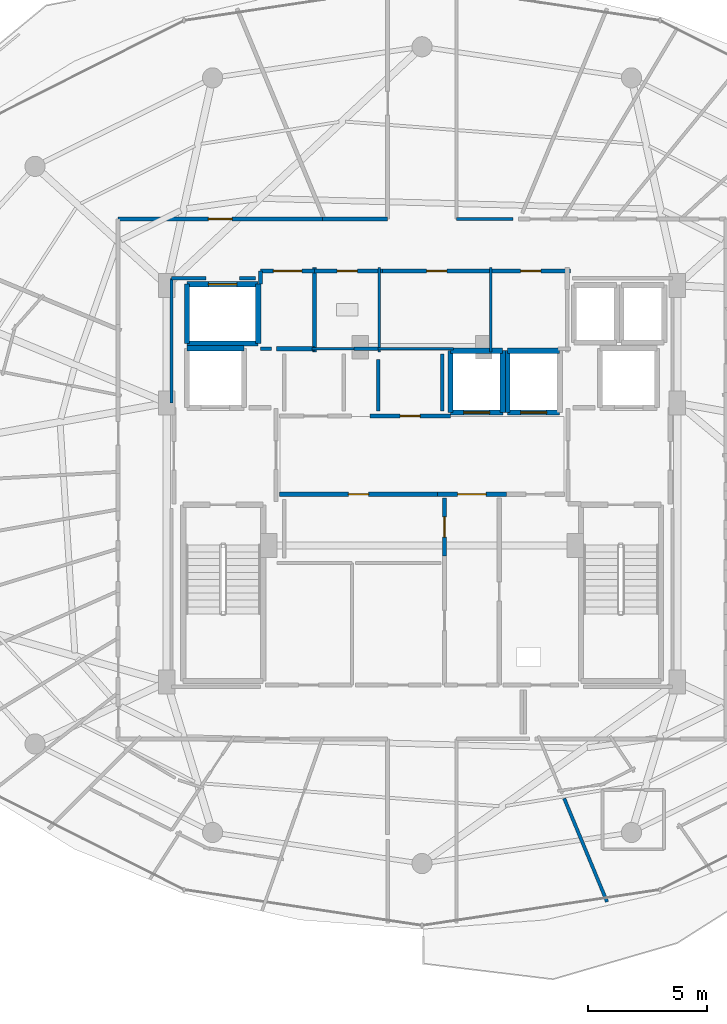
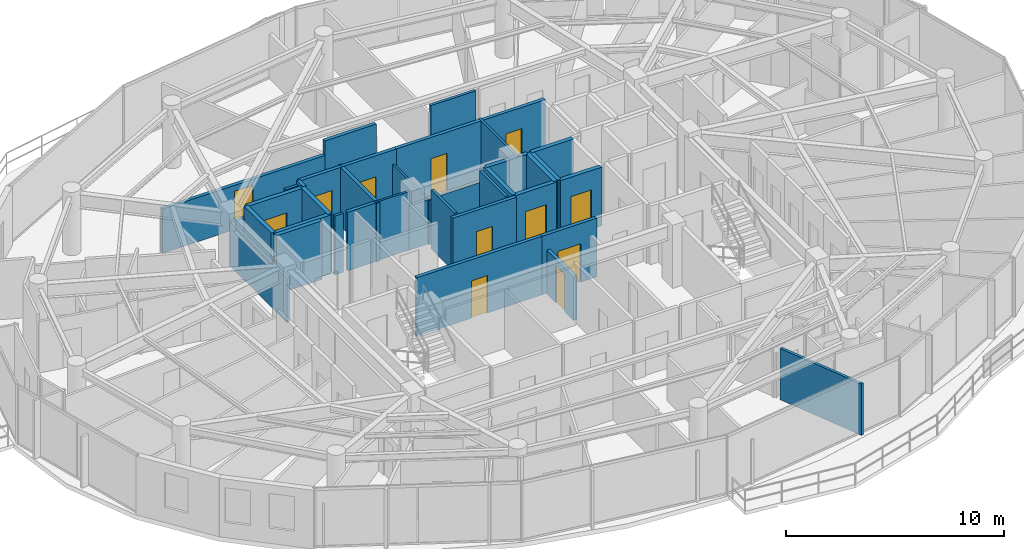
# One storey, part 23 of 30: 38 walls, 12 doors, 12 openings.
"""IFC4 building model written with IfcOpenShell, lengths in metres."""

from ifc_helpers import new_model, si_unit, direction, frame, frame_2d, origin, place, context, subcontext, project, spatial, rectangle, extrude, material, layer, layer_set, type_object, element, fill, save


model = new_model("IFC4")

# Units and contexts
model_context = context("Model", 3, precision=1e-05, world=origin(), true_north=direction((0.0, 1.0)))
body_context = subcontext(model_context, "Body", "Model", "MODEL_VIEW")
ifc_project = project(units=[si_unit("LENGTHUNIT", "METRE"), si_unit("AREAUNIT", "SQUARE_METRE"), si_unit("VOLUMEUNIT", "CUBIC_METRE"), si_unit("PLANEANGLEUNIT", "RADIAN"), si_unit("MASSUNIT", "GRAM", prefix="KILO")], contexts=[model_context])

# Site, building, storey
site_placement = place(None, origin())
site = spatial("IfcSite", under=ifc_project, at=site_placement, CompositionType="ELEMENT")
building_placement = place(site_placement, origin())
building = spatial("IfcBuilding", under=site, at=building_placement, Name="Vorneva Point Tower", CompositionType="ELEMENT")
storey_placement = place(building_placement, frame((0.0, 0.0, 262.64990234375)))
storey = spatial("IfcBuildingStorey", under=building, at=storey_placement, Name="L71", CompositionType="ELEMENT", Elevation=262.64990234375)

# Walls
ifc_material_1 = material(Name="Concrete B60 (C50/60)", Category="concrete")
ifc_layer_1 = layer(ifc_material_1, 0.35009765625)
ifc_layer_set_1 = layer_set([ifc_layer_1], Name="Concrete B60 (C50/60)")
wall_type_1 = type_object("IfcWallType", Name="WL-CORE-350", PredefinedType="SHEAR", material=ifc_layer_set_1)
wall_1_placement = place(storey_placement, frame((30.5, 30.5, 0.0), z_axis=(0.0, 0.0, 1.0), x_axis=(-1.0, 0.0, 0.0)))
element("IfcWall", 1, at=wall_1_placement, inside=storey, type_object=wall_type_1, Name="L71 Lift FFL1 Shaft Wall +Y", PredefinedType="SHEAR", context=body_context, shape_type="SweptSolid", body=[
    extrude(rectangle(XDim=2.39990234375, YDim=0.219970703125, at=frame_2d((1.199951171875, 0.0))), origin(), (0.0, 0.0, 1.0), 3.2900390625),
])
ifc_material_2 = material(Name="Fire-rated acoustic gypsum stud partition", Category="gypsum")
ifc_layer_2 = layer(ifc_material_2, 0.110107421875)
ifc_layer_set_2 = layer_set([ifc_layer_2], Name="Fire-rated acoustic gypsum stud partition")
wall_type_2 = type_object("IfcWallType", Name="WL-PART-110", PredefinedType="PARTITIONING", material=ifc_layer_set_2)
wall_2_placement = place(storey_placement, frame((36.199951171875, 30.340087890625, 0.0), z_axis=(0.0, 0.0, 1.0), x_axis=(0.0, 1.0, 0.0)))
element("IfcWall", 2, at=wall_2_placement, inside=storey, type_object=wall_type_2, Name="L71 Interior Partition 020", PredefinedType="PARTITIONING", context=body_context, shape_type="SweptSolid", body=[
    extrude(rectangle(XDim=3.559814453125, YDim=0.110107421875, at=frame_2d((1.77978515625, 0.0))), origin(), (0.0, 0.0, 1.0), 2.482177734375),
])
wall_3_placement = place(storey_placement, frame((33.360107421875, 30.47998046875, 0.0), z_axis=(0.0, 0.0, 1.0), x_axis=(1.0, 0.0, 0.0)))
element("IfcWall", 3, at=wall_3_placement, inside=storey, type_object=wall_type_2, Name="L71 Interior Partition 021", PredefinedType="PARTITIONING", context=body_context, shape_type="SweptSolid", body=[
    extrude(rectangle(XDim=1.809814453125, YDim=0.110107421875, at=frame_2d((0.90478515625, 0.0))), origin(), (0.0, 0.0, 1.0), 3.2900390625),
])
wall_4_placement = place(storey_placement, frame((40.89990234375, 30.340087890625, 0.0), z_axis=(0.0, 0.0, 1.0), x_axis=(0.0, 1.0, 0.0)))
element("IfcWall", 4, at=wall_4_placement, inside=storey, type_object=wall_type_2, Name="L71 Interior Partition 023", PredefinedType="PARTITIONING", context=body_context, shape_type="SweptSolid", body=[
    extrude(rectangle(XDim=3.559814453125, YDim=0.110107421875, at=frame_2d((1.77978515625, 0.0))), origin(), (0.0, 0.0, 1.0), 3.2900390625),
])
wall_5_placement = place(storey_placement, frame((36.110107421875, 30.47998046875, 0.0), z_axis=(0.0, 0.0, 1.0), x_axis=(1.0, 0.0, 0.0)))
element("IfcWall", 5, at=wall_5_placement, inside=storey, type_object=wall_type_2, Name="L71 Interior Partition 024", PredefinedType="PARTITIONING", context=body_context, shape_type="SweptSolid", body=[
    extrude(rectangle(XDim=3.2099609375, YDim=0.110107421875, at=frame_2d((1.60498046875, 0.0))), origin(), (0.0, 0.0, 1.0), 2.482177734375),
])
ifc_layer_3 = layer(ifc_material_2, 0.139892578125)
ifc_layer_set_3 = layer_set([ifc_layer_3], Name="Fire-rated acoustic gypsum stud partition")
wall_type_3 = type_object("IfcWallType", Name="WL-PART-140", PredefinedType="PARTITIONING", material=ifc_layer_set_3)
wall_6_placement = place(storey_placement, frame((31.199951171875, 30.47998046875, 0.0), z_axis=(0.0, 0.0, 1.0), x_axis=(1.0, 0.0, 0.0)))
element("IfcWall", 6, at=wall_6_placement, inside=storey, type_object=wall_type_3, Name="L71 Interior Closure Partition 143", PredefinedType="PARTITIONING", context=body_context, shape_type="SweptSolid", body=[
    extrude(rectangle(XDim=0.449951171875, YDim=0.139892578125, at=frame_2d((0.22509765625, 0.0))), origin(), (0.0, 0.0, 1.0), 3.2900390625),
])
wall_7_placement = place(storey_placement, frame((35.139892578125, 30.47998046875, 0.0), z_axis=(0.0, 0.0, 1.0), x_axis=(1.0, 0.0, 0.0)))
element("IfcWall", 7, at=wall_7_placement, inside=storey, type_object=wall_type_3, Name="L71 Interior Closure Partition 144", PredefinedType="PARTITIONING", context=body_context, shape_type="SweptSolid", body=[
    extrude(rectangle(XDim=1.0, YDim=0.139892578125, at=frame_2d((0.5, 0.0))), origin(), (0.0, 0.0, 1.0), 2.482177734375),
])
wall_8_placement = place(storey_placement, frame((36.14990234375, 30.030029296875, 0.0), z_axis=(0.0, 0.0, 1.0), x_axis=(0.0, -1.0, 0.0)))
element("IfcWall", 8, at=wall_8_placement, inside=storey, type_object=wall_type_3, Name="L71 Interior Closure Partition 149", PredefinedType="PARTITIONING", context=body_context, shape_type="SweptSolid", body=[
    extrude(rectangle(XDim=2.159912109375, YDim=0.139892578125, at=frame_2d((1.080078125, 0.0))), origin(), (0.0, 0.0, 1.0), 3.2900390625),
])
wall_9_placement = place(storey_placement, frame((38.85009765625, 27.8701171875, 0.0), z_axis=(0.0, 0.0, 1.0), x_axis=(0.0, 1.0, 0.0)))
element("IfcWall", 9, at=wall_9_placement, inside=storey, type_object=wall_type_3, Name="L71 Interior Closure Partition 150", PredefinedType="PARTITIONING", context=body_context, shape_type="SweptSolid", body=[
    extrude(rectangle(XDim=2.389892578125, YDim=0.139892578125, at=frame_2d((1.19482421875, 0.0))), origin(), (0.0, 0.0, 1.0), 3.2900390625),
])
wall_10_placement = place(storey_placement, frame((41.841064453125, 35.949951171875, 0.0), z_axis=(0.0, 0.0, 1.0), x_axis=(-1.0, 0.0, 0.0)))
element("IfcWall", 10, at=wall_10_placement, inside=storey, type_object=wall_type_3, Name="L71 Interior Closure Partition 155", PredefinedType="PARTITIONING", context=body_context, shape_type="SweptSolid", body=[
    extrude(rectangle(XDim=2.39111328125, YDim=0.139892578125, at=frame_2d((1.195556640625, 0.0))), origin(), (0.0, 0.0, 1.0), 3.2900390625),
])
wall_11_placement = place(storey_placement, frame((30.97998046875, 33.449951171875, 0.0), z_axis=(0.0, 0.0, 1.0), x_axis=(-1.0, 0.0, 0.0)))
element("IfcWall", 11, at=wall_11_placement, inside=storey, type_object=wall_type_3, Name="L71 Interior Closure Partition 162", PredefinedType="PARTITIONING", context=body_context, shape_type="SweptSolid", body=[
    extrude(rectangle(XDim=0.674072265625, YDim=0.139892578125, at=frame_2d((0.3369140625, 0.0))), origin(), (0.0, 0.0, 1.0), 3.2900390625),
])
wall_12_placement = place(storey_placement, frame((28.89404296875, 33.449951171875, 0.0), z_axis=(0.0, 0.0, 1.0), x_axis=(-1.0, 0.0, 0.0)))
element("IfcWall", 12, at=wall_12_placement, inside=storey, type_object=wall_type_3, Name="L71 Interior Closure Partition 163", PredefinedType="PARTITIONING", context=body_context, shape_type="SweptSolid", body=[
    extrude(rectangle(XDim=1.444091796875, YDim=0.139892578125, at=frame_2d((0.72216796875, 0.0))), origin(), (0.0, 0.0, 1.0), 2.482177734375),
])
wall_13_placement = place(storey_placement, frame((27.449951171875, 33.449951171875, 0.0), z_axis=(0.0, 0.0, 1.0), x_axis=(0.0, -1.0, 0.0)))
element("IfcWall", 13, at=wall_13_placement, inside=storey, type_object=wall_type_3, Name="L71 Interior Closure Partition 164", PredefinedType="PARTITIONING", context=body_context, shape_type="SweptSolid", body=[
    extrude(rectangle(XDim=5.25390625, YDim=0.139892578125, at=frame_2d((2.626953125, 0.0))), origin(), (0.0, 0.0, 1.0), 2.482177734375),
])
wall_14_placement = place(storey_placement, frame((43.988037109375, 11.54296875, 0.0), z_axis=(0.0, 0.0, 1.0), x_axis=(0.382798409849, -0.923831898895, 0.0)))
element("IfcWall", 14, at=wall_14_placement, inside=storey, type_object=wall_type_3, Name="L71 Interior Closure Partition 168", PredefinedType="PARTITIONING", context=body_context, shape_type="SweptSolid", body=[
    extrude(rectangle(XDim=4.715087890625, YDim=0.139892578125, at=frame_2d((2.357421875, 0.0))), origin(), (0.0, 0.0, 1.0), 2.8740234375),
])
ifc_material_3 = material(Name="Autoclaved aerated concrete blockwork", Category="masonry")
ifc_layer_4 = layer(ifc_material_3, 0.179931640625)
ifc_layer_set_4 = layer_set([ifc_layer_4], Name="Autoclaved aerated concrete blockwork")
wall_type_4 = type_object("IfcWallType", Name="WL-PART-180", PredefinedType="PARTITIONING", material=ifc_layer_set_4)
wall_15_placement = place(storey_placement, frame((33.469970703125, 30.340087890625, 0.0), z_axis=(0.0, 0.0, 1.0), x_axis=(0.0, 1.0, 0.0)))
element("IfcWall", 15, at=wall_15_placement, inside=storey, type_object=wall_type_4, Name="L71 Interior Partition 006", PredefinedType="PARTITIONING", context=body_context, shape_type="SweptSolid", body=[
    extrude(rectangle(XDim=3.559814453125, YDim=0.179931640625, at=frame_2d((1.77978515625, 0.0))), origin(), (0.0, 0.0, 1.0), 3.2900390625),
])
wall_16_placement = place(storey_placement, frame((31.8701171875, 30.47998046875, 0.0), z_axis=(0.0, 0.0, 1.0), x_axis=(1.0, 0.0, 0.0)))
element("IfcWall", 16, at=wall_16_placement, inside=storey, type_object=wall_type_4, Name="L71 Interior Partition 007", PredefinedType="PARTITIONING", context=body_context, shape_type="SweptSolid", body=[
    extrude(rectangle(XDim=1.599853515625, YDim=0.179931640625, at=frame_2d((0.7998046875, 0.0))), origin(), (0.0, 0.0, 1.0), 3.2900390625),
])

# Wall, opening, door
wall_17_placement = place(storey_placement, frame((33.469970703125, 33.760009765625, 0.0), z_axis=(0.0, 0.0, 1.0), x_axis=(-1.0, 0.0, 0.0)))
wall_17 = element("IfcWall", 17, at=wall_17_placement, inside=storey, type_object=wall_type_4, Name="L71 Interior Partition 008", PredefinedType="PARTITIONING", context=body_context, shape_type="SweptSolid", body=[
    extrude(rectangle(XDim=2.27001953125, YDim=0.179931640625, at=frame_2d((1.135009765625, 0.0))), origin(), (0.0, 0.0, 1.0), 3.2900390625),
])
opening_1_placement = place(wall_17_placement, frame((0.534912109375, 0.0, 0.0)))
opening_1 = element("IfcOpeningElement", 18, at=opening_1_placement, cuts=wall_17, Name="Opening FD-02", PredefinedType="OPENING", context=body_context, shape_type="SweptSolid", body=[
    extrude(rectangle(XDim=1.199951171875, YDim=2.14990234375, at=frame_2d((0.60009765625, 1.074951171875))), frame((0.0, 0.10498046875, 0.0), z_axis=(0.0, -1.0, 0.0), x_axis=(1.0, 0.0, 0.0)), (0.0, 0.0, 1.0), 0.209716796875),
])
ifc_material_4 = material(Name="Fire-rated powder-coated steel", Category="steel")
door_type_1 = type_object("IfcDoorType", Name="DR-FFL-1200", OperationType="NOTDEFINED", PredefinedType="DOOR", material=ifc_material_4)
door_1_placement = place(opening_1_placement, origin())
door_1 = element("IfcDoor", 19, at=door_1_placement, inside=storey, type_object=door_type_1, Name="L71 Door Service Lift Lobby / L71 Circulation Corridor", OperationType="SINGLE_SWING_LEFT", OverallHeight=2.14990234375, OverallWidth=1.199951171875, PredefinedType="DOOR", context=body_context, shape_type="SweptSolid", body=[
    extrude(rectangle(XDim=1.199951171875, YDim=2.14990234375, at=frame_2d((0.60009765625, 1.074951171875))), frame((0.0, 0.02490234375, 0.0), z_axis=(0.0, -1.0, 0.0), x_axis=(1.0, 0.0, 0.0)), (0.0, 0.0, 1.0), 0.050048828125),
])
fill(opening_1, door_1)

# Wall
wall_18_placement = place(storey_placement, frame((31.199951171875, 33.760009765625, 0.0), z_axis=(0.0, 0.0, 1.0), x_axis=(0.0, -1.0, 0.0)))
element("IfcWall", 20, at=wall_18_placement, inside=storey, type_object=wall_type_4, Name="L71 Interior Partition 009", PredefinedType="PARTITIONING", context=body_context, shape_type="SweptSolid", body=[
    extrude(rectangle(XDim=0.56005859375, YDim=0.179931640625, at=frame_2d((0.280029296875, 0.0))), origin(), (0.0, 0.0, 1.0), 3.2900390625),
])

# Wall, opening, door
wall_19_placement = place(storey_placement, frame((38.64501953125, 24.35009765625, 0.0), z_axis=(0.0, 0.0, 1.0), x_axis=(1.0, 0.0, 0.0)))
wall_19 = element("IfcWall", 21, at=wall_19_placement, inside=storey, type_object=wall_type_4, Name="L71 Interior Partition 010", PredefinedType="PARTITIONING", context=body_context, shape_type="SweptSolid", body=[
    extrude(rectangle(XDim=2.909912109375, YDim=0.179931640625, at=frame_2d((1.455078125, 0.0))), origin(), (0.0, 0.0, 1.0), 3.2900390625),
])
opening_2_placement = place(wall_19_placement, frame((0.85498046875, 0.0, 0.0)))
opening_2 = element("IfcOpeningElement", 22, at=opening_2_placement, cuts=wall_19, Name="Opening FD-02", PredefinedType="OPENING", context=body_context, shape_type="SweptSolid", body=[
    extrude(rectangle(XDim=1.199951171875, YDim=2.14990234375, at=frame_2d((0.60009765625, 1.074951171875))), frame((0.0, 0.10498046875, 0.0), z_axis=(0.0, -1.0, 0.0), x_axis=(1.0, 0.0, 0.0)), (0.0, 0.0, 1.0), 0.209716796875),
])
door_2_placement = place(opening_2_placement, origin())
door_2 = element("IfcDoor", 23, at=door_2_placement, inside=storey, type_object=door_type_1, Name="L71 Door Central Lift Lobby / Core Service Lobby", OperationType="SINGLE_SWING_RIGHT", OverallHeight=2.14990234375, OverallWidth=1.199951171875, PredefinedType="DOOR", context=body_context, shape_type="SweptSolid", body=[
    extrude(rectangle(XDim=1.199951171875, YDim=2.14990234375, at=frame_2d((0.60009765625, 1.074951171875))), frame((0.0, 0.02490234375, 0.0), z_axis=(0.0, -1.0, 0.0), x_axis=(1.0, 0.0, 0.0)), (0.0, 0.0, 1.0), 0.050048828125),
])
fill(opening_2, door_2)

wall_20_placement = place(storey_placement, frame((39.18994140625, 27.64990234375, 0.0), z_axis=(0.0, 0.0, 1.0), x_axis=(-1.0, 0.0, 0.0)))
wall_20 = element("IfcWall", 24, at=wall_20_placement, inside=storey, type_object=wall_type_4, Name="L71 Interior Partition 013", PredefinedType="PARTITIONING", context=body_context, shape_type="SweptSolid", body=[
    extrude(rectangle(XDim=3.3798828125, YDim=0.179931640625, at=frame_2d((1.68994140625, 0.0))), origin(), (0.0, 0.0, 1.0), 3.2900390625),
])
opening_3_placement = place(wall_20_placement, frame((1.264892578125, 0.0, 0.0)))
opening_3 = element("IfcOpeningElement", 25, at=opening_3_placement, cuts=wall_20, Name="Opening ID-02", PredefinedType="OPENING", context=body_context, shape_type="SweptSolid", body=[
    extrude(rectangle(XDim=0.85009765625, YDim=2.10009765625, at=frame_2d((0.425048828125, 1.050048828125))), frame((0.0, 0.10498046875, 0.0), z_axis=(0.0, -1.0, 0.0), x_axis=(1.0, 0.0, 0.0)), (0.0, 0.0, 1.0), 0.209716796875),
])
ifc_material_5 = material(Name="Engineered oak fire-rated door leaf", Category="wood")
door_type_2 = type_object("IfcDoorType", Name="DR-BATH-850", OperationType="NOTDEFINED", PredefinedType="DOOR", material=ifc_material_5)
door_3_placement = place(opening_3_placement, origin())
door_3 = element("IfcDoor", 26, at=door_3_placement, inside=storey, type_object=door_type_2, Name="L71 Door Central Lift Lobby / Reclaimed Core Archive Store", OperationType="SINGLE_SWING_LEFT", OverallHeight=2.10009765625, OverallWidth=0.85009765625, PredefinedType="DOOR", context=body_context, shape_type="SweptSolid", body=[
    extrude(rectangle(XDim=0.85009765625, YDim=2.10009765625, at=frame_2d((0.425048828125, 1.050048828125))), frame((0.0, 0.02490234375, 0.0), z_axis=(0.0, -1.0, 0.0), x_axis=(1.0, 0.0, 0.0)), (0.0, 0.0, 1.0), 0.050048828125),
])
fill(opening_3, door_3)

wall_21_placement = place(storey_placement, frame((32.0, 24.35009765625, 0.0), z_axis=(0.0, 0.0, 1.0), x_axis=(1.0, 0.0, 0.0)))
wall_21 = element("IfcWall", 27, at=wall_21_placement, inside=storey, type_object=wall_type_4, Name="L71 Interior Partition 014", PredefinedType="PARTITIONING", context=body_context, shape_type="SweptSolid", body=[
    extrude(rectangle(XDim=6.64501953125, YDim=0.179931640625, at=frame_2d((3.322509765625, 0.0))), origin(), (0.0, 0.0, 1.0), 3.2900390625),
])
opening_4_placement = place(wall_21_placement, frame((2.8974609375, 0.0, 0.0)))
opening_4 = element("IfcOpeningElement", 28, at=opening_4_placement, cuts=wall_21, Name="Opening ID-02", PredefinedType="OPENING", context=body_context, shape_type="SweptSolid", body=[
    extrude(rectangle(XDim=0.85009765625, YDim=2.10009765625, at=frame_2d((0.425048828125, 1.050048828125))), frame((0.0, 0.10498046875, 0.0), z_axis=(0.0, -1.0, 0.0), x_axis=(1.0, 0.0, 0.0)), (0.0, 0.0, 1.0), 0.209716796875),
])
door_4_placement = place(opening_4_placement, origin())
door_4 = element("IfcDoor", 29, at=door_4_placement, inside=storey, type_object=door_type_2, Name="L71 Door Central Lift Lobby / Reclaimed High-Zone Wine Vault", OperationType="SINGLE_SWING_RIGHT", OverallHeight=2.10009765625, OverallWidth=0.85009765625, PredefinedType="DOOR", context=body_context, shape_type="SweptSolid", body=[
    extrude(rectangle(XDim=0.85009765625, YDim=2.10009765625, at=frame_2d((0.425048828125, 1.050048828125))), frame((0.0, 0.02490234375, 0.0), z_axis=(0.0, -1.0, 0.0), x_axis=(1.0, 0.0, 0.0)), (0.0, 0.0, 1.0), 0.050048828125),
])
fill(opening_4, door_4)

wall_22_placement = place(storey_placement, frame((38.949951171875, 24.199951171875, 0.0), z_axis=(0.0, 0.0, 1.0), x_axis=(0.0, -1.0, 0.0)))
wall_22 = element("IfcWall", 30, at=wall_22_placement, inside=storey, type_object=wall_type_4, Name="L71 Interior Partition 017", PredefinedType="PARTITIONING", context=body_context, shape_type="SweptSolid", body=[
    extrude(rectangle(XDim=2.445068359375, YDim=0.179931640625, at=frame_2d((1.22265625, 0.0))), origin(), (0.0, 0.0, 1.0), 2.482177734375),
])
opening_5_placement = place(wall_22_placement, frame((0.797607421875, 0.0, 0.0)))
opening_5 = element("IfcOpeningElement", 31, at=opening_5_placement, cuts=wall_22, Name="Opening ID-02", PredefinedType="OPENING", context=body_context, shape_type="SweptSolid", body=[
    extrude(rectangle(XDim=0.85009765625, YDim=2.10009765625, at=frame_2d((0.425048828125, 1.050048828125))), frame((0.0, 0.10498046875, 0.0), z_axis=(0.0, -1.0, 0.0), x_axis=(1.0, 0.0, 0.0)), (0.0, 0.0, 1.0), 0.209716796875),
])
door_5_placement = place(opening_5_placement, origin())
door_5 = element("IfcDoor", 32, at=door_5_placement, inside=storey, type_object=door_type_2, Name="L71 Door Core Service Lobby / Reclaimed High-Zone Wine Vault", OperationType="SINGLE_SWING_LEFT", OverallHeight=2.10009765625, OverallWidth=0.85009765625, PredefinedType="DOOR", context=body_context, shape_type="SweptSolid", body=[
    extrude(rectangle(XDim=0.85009765625, YDim=2.10009765625, at=frame_2d((0.425048828125, 1.050048828125))), frame((0.0, 0.02490234375, 0.0), z_axis=(0.0, -1.0, 0.0), x_axis=(1.0, 0.0, 0.0)), (0.0, 0.0, 1.0), 0.050048828125),
])
fill(opening_5, door_5)

wall_23_placement = place(storey_placement, frame((36.340087890625, 33.760009765625, 0.0), z_axis=(0.0, 0.0, 1.0), x_axis=(-1.0, 0.0, 0.0)))
wall_23 = element("IfcWall", 33, at=wall_23_placement, inside=storey, type_object=wall_type_4, Name="L71 Interior Partition 022", PredefinedType="PARTITIONING", context=body_context, shape_type="SweptSolid", body=[
    extrude(rectangle(XDim=2.97998046875, YDim=0.179931640625, at=frame_2d((1.489990234375, 0.0))), origin(), (0.0, 0.0, 1.0), 3.2900390625),
])
opening_6_placement = place(wall_23_placement, frame((1.06494140625, 0.0, 0.0)))
opening_6 = element("IfcOpeningElement", 34, at=opening_6_placement, cuts=wall_23, Name="Opening ID-02", PredefinedType="OPENING", context=body_context, shape_type="SweptSolid", body=[
    extrude(rectangle(XDim=0.85009765625, YDim=2.10009765625, at=frame_2d((0.425048828125, 1.050048828125))), frame((0.0, 0.10498046875, 0.0), z_axis=(0.0, -1.0, 0.0), x_axis=(1.0, 0.0, 0.0)), (0.0, 0.0, 1.0), 0.209716796875),
])
door_6_placement = place(opening_6_placement, origin())
door_6 = element("IfcDoor", 35, at=door_6_placement, inside=storey, type_object=door_type_2, Name="L71 Door Public Male WC / L71 Circulation Corridor", OperationType="SINGLE_SWING_RIGHT", OverallHeight=2.10009765625, OverallWidth=0.85009765625, PredefinedType="DOOR", context=body_context, shape_type="SweptSolid", body=[
    extrude(rectangle(XDim=0.85009765625, YDim=2.10009765625, at=frame_2d((0.425048828125, 1.050048828125))), frame((0.0, 0.02490234375, 0.0), z_axis=(0.0, -1.0, 0.0), x_axis=(1.0, 0.0, 0.0)), (0.0, 0.0, 1.0), 0.050048828125),
])
fill(opening_6, door_6)

wall_24_placement = place(storey_placement, frame((41.0400390625, 33.760009765625, 0.0), z_axis=(0.0, 0.0, 1.0), x_axis=(-1.0, 0.0, 0.0)))
wall_24 = element("IfcWall", 36, at=wall_24_placement, inside=storey, type_object=wall_type_4, Name="L71 Interior Partition 025", PredefinedType="PARTITIONING", context=body_context, shape_type="SweptSolid", body=[
    extrude(rectangle(XDim=4.840087890625, YDim=0.179931640625, at=frame_2d((2.419921875, 0.0))), origin(), (0.0, 0.0, 1.0), 3.2900390625),
])
opening_7_placement = place(wall_24_placement, frame((1.9951171875, 0.0, 0.0)))
opening_7 = element("IfcOpeningElement", 37, at=opening_7_placement, cuts=wall_24, Name="Opening ID-02", PredefinedType="OPENING", context=body_context, shape_type="SweptSolid", body=[
    extrude(rectangle(XDim=0.85009765625, YDim=2.10009765625, at=frame_2d((0.425048828125, 1.050048828125))), frame((0.0, 0.10498046875, 0.0), z_axis=(0.0, -1.0, 0.0), x_axis=(1.0, 0.0, 0.0)), (0.0, 0.0, 1.0), 0.209716796875),
])
door_7_placement = place(opening_7_placement, origin())
door_7 = element("IfcDoor", 38, at=door_7_placement, inside=storey, type_object=door_type_2, Name="L71 Door Public Female WC / L71 Circulation Corridor", OperationType="SINGLE_SWING_LEFT", OverallHeight=2.10009765625, OverallWidth=0.85009765625, PredefinedType="DOOR", context=body_context, shape_type="SweptSolid", body=[
    extrude(rectangle(XDim=0.85009765625, YDim=2.10009765625, at=frame_2d((0.425048828125, 1.050048828125))), frame((0.0, 0.02490234375, 0.0), z_axis=(0.0, -1.0, 0.0), x_axis=(1.0, 0.0, 0.0)), (0.0, 0.0, 1.0), 0.050048828125),
])
fill(opening_7, door_7)

wall_25_placement = place(storey_placement, frame((44.260009765625, 33.760009765625, 0.0), z_axis=(0.0, 0.0, 1.0), x_axis=(-1.0, 0.0, 0.0)))
wall_25 = element("IfcWall", 39, at=wall_25_placement, inside=storey, type_object=wall_type_4, Name="L71 Interior Partition 026", PredefinedType="PARTITIONING", context=body_context, shape_type="SweptSolid", body=[
    extrude(rectangle(XDim=3.360107421875, YDim=0.179931640625, at=frame_2d((1.68017578125, 0.0))), origin(), (0.0, 0.0, 1.0), 3.2900390625),
])
opening_8_placement = place(wall_25_placement, frame((1.2548828125, 0.0, 0.0)))
opening_8 = element("IfcOpeningElement", 40, at=opening_8_placement, cuts=wall_25, Name="Opening ID-02", PredefinedType="OPENING", context=body_context, shape_type="SweptSolid", body=[
    extrude(rectangle(XDim=0.85009765625, YDim=2.10009765625, at=frame_2d((0.425048828125, 1.050048828125))), frame((0.0, 0.10498046875, 0.0), z_axis=(0.0, -1.0, 0.0), x_axis=(1.0, 0.0, 0.0)), (0.0, 0.0, 1.0), 0.209716796875),
])
door_8_placement = place(opening_8_placement, origin())
door_8 = element("IfcDoor", 41, at=door_8_placement, inside=storey, type_object=door_type_2, Name="L71 Door Accessible WC / L71 Circulation Corridor", OperationType="SINGLE_SWING_RIGHT", OverallHeight=2.10009765625, OverallWidth=0.85009765625, PredefinedType="DOOR", context=body_context, shape_type="SweptSolid", body=[
    extrude(rectangle(XDim=0.85009765625, YDim=2.10009765625, at=frame_2d((0.425048828125, 1.050048828125))), frame((0.0, 0.02490234375, 0.0), z_axis=(0.0, -1.0, 0.0), x_axis=(1.0, 0.0, 0.0)), (0.0, 0.0, 1.0), 0.050048828125),
])
fill(opening_8, door_8)

# Wall
wall_26_placement = place(storey_placement, frame((36.550048828125, 35.949951171875, 0.0), z_axis=(0.0, 0.0, 1.0), x_axis=(-1.0, 0.0, 0.0)))
element("IfcWall", 42, at=wall_26_placement, inside=storey, type_object=wall_type_4, Name="L71 Interior Partition 065", PredefinedType="PARTITIONING", context=body_context, shape_type="SweptSolid", body=[
    extrude(rectangle(XDim=2.736083984375, YDim=0.179931640625, at=frame_2d((1.3681640625, 0.0))), origin(), (0.0, 0.0, 1.0), 3.2900390625),
])

# Wall, opening, door
wall_27_placement = place(storey_placement, frame((33.81396484375, 35.949951171875, 0.0), z_axis=(0.0, 0.0, 1.0), x_axis=(-1.0, 0.0, 0.0)))
wall_27 = element("IfcWall", 43, at=wall_27_placement, inside=storey, type_object=wall_type_4, Name="L71 Interior Partition 066", PredefinedType="PARTITIONING", context=body_context, shape_type="SweptSolid", body=[
    extrude(rectangle(XDim=8.614013671875, YDim=0.179931640625, at=frame_2d((4.30712890625, 0.0))), origin(), (0.0, 0.0, 1.0), 2.482177734375),
])
opening_9_placement = place(wall_27_placement, frame((3.806884765625, 0.0, 0.0)))
opening_9 = element("IfcOpeningElement", 44, at=opening_9_placement, cuts=wall_27, Name="Opening UD-01", PredefinedType="OPENING", context=body_context, shape_type="SweptSolid", body=[
    extrude(rectangle(XDim=1.0, YDim=2.14990234375, at=frame_2d((0.5, 1.074951171875))), frame((0.0, 0.10498046875, 0.0), z_axis=(0.0, -1.0, 0.0), x_axis=(1.0, 0.0, 0.0)), (0.0, 0.0, 1.0), 0.209716796875),
])
door_type_3 = type_object("IfcDoorType", Name="DR-UNIT-1000", OperationType="NOTDEFINED", PredefinedType="DOOR", material=ifc_material_5)
door_9_placement = place(opening_9_placement, origin())
door_9 = element("IfcDoor", 45, at=door_9_placement, inside=storey, type_object=door_type_3, Name="L71 Door L71 Circulation Corridor / Residents Co-Working Office L71-06", OperationType="SINGLE_SWING_RIGHT", OverallHeight=2.14990234375, OverallWidth=1.0, PredefinedType="DOOR", context=body_context, shape_type="SweptSolid", body=[
    extrude(rectangle(XDim=1.0, YDim=2.14990234375, at=frame_2d((0.5, 1.074951171875))), frame((0.0, 0.02490234375, 0.0), z_axis=(0.0, -1.0, 0.0), x_axis=(1.0, 0.0, 0.0)), (0.0, 0.0, 1.0), 0.050048828125),
])
fill(opening_9, door_9)

ifc_material_6 = material(Name="Concrete B50 (C40/50)", Category="concrete")
ifc_layer_5 = layer(ifc_material_6, 0.219970703125)
ifc_layer_set_5 = layer_set([ifc_layer_5], Name="Concrete B50 (C40/50)")
wall_type_5 = type_object("IfcWallType", Name="WL-SHFT-220", PredefinedType="SOLIDWALL", material=ifc_layer_set_5)
wall_28_placement = place(storey_placement, frame((39.199951171875, 27.800048828125, 0.0), z_axis=(0.0, 0.0, 1.0), x_axis=(1.0, 0.0, 0.0)))
wall_28 = element("IfcWall", 46, at=wall_28_placement, inside=storey, type_object=wall_type_5, Name="L71 Lift PL7 Shaft Wall -Y", PredefinedType="SOLIDWALL", context=body_context, shape_type="SweptSolid", body=[
    extrude(rectangle(XDim=2.199951171875, YDim=0.219970703125, at=frame_2d((1.10009765625, 0.0))), origin(), (0.0, 0.0, 1.0), 3.2900390625),
])
opening_10_placement = place(wall_28_placement, frame((0.550048828125, 0.0, 0.0)))
opening_10 = element("IfcOpeningElement", 47, at=opening_10_placement, cuts=wall_28, Name="Opening LD-01", PredefinedType="OPENING", context=body_context, shape_type="SweptSolid", body=[
    extrude(rectangle(XDim=1.10009765625, YDim=2.199951171875, at=frame_2d((0.550048828125, 1.10009765625))), frame((0.0, 0.125, 0.0), z_axis=(0.0, -1.0, 0.0), x_axis=(1.0, 0.0, 0.0)), (0.0, 0.0, 1.0), 0.249755859375),
])
ifc_material_7 = material(Name="Brushed stainless steel S304", Category="steel")
door_type_4 = type_object("IfcDoorType", Name="LD-PASS-1100", OperationType="SLIDING_TO_LEFT", PredefinedType="DOOR", material=ifc_material_7)
door_10_placement = place(opening_10_placement, origin())
door_10 = element("IfcDoor", 48, at=door_10_placement, inside=storey, type_object=door_type_4, Name="L71 Lift PL7 Sliding Landing Door", OperationType="SLIDING_TO_LEFT", OverallHeight=2.199951171875, OverallWidth=1.10009765625, PredefinedType="DOOR", context=body_context, shape_type="SweptSolid", body=[
    extrude(rectangle(XDim=1.10009765625, YDim=2.199951171875, at=frame_2d((0.550048828125, 1.10009765625))), frame((0.0, 0.02490234375, 0.0), z_axis=(0.0, -1.0, 0.0), x_axis=(1.0, 0.0, 0.0)), (0.0, 0.0, 1.0), 0.050048828125),
])
fill(opening_10, door_10)

# Walls
wall_29_placement = place(storey_placement, frame((41.39990234375, 27.800048828125, 0.0), z_axis=(0.0, 0.0, 1.0), x_axis=(0.0, 1.0, 0.0)))
element("IfcWall", 49, at=wall_29_placement, inside=storey, type_object=wall_type_5, Name="L71 Lift PL7 Shaft Wall +X", PredefinedType="SOLIDWALL", context=body_context, shape_type="SweptSolid", body=[
    extrude(rectangle(XDim=2.599853515625, YDim=0.219970703125, at=frame_2d((1.2998046875, 0.0))), origin(), (0.0, 0.0, 1.0), 3.2900390625),
])
wall_30_placement = place(storey_placement, frame((41.39990234375, 30.39990234375, 0.0), z_axis=(0.0, 0.0, 1.0), x_axis=(-1.0, 0.0, 0.0)))
element("IfcWall", 50, at=wall_30_placement, inside=storey, type_object=wall_type_5, Name="L71 Lift PL7 Shaft Wall +Y", PredefinedType="SOLIDWALL", context=body_context, shape_type="SweptSolid", body=[
    extrude(rectangle(XDim=2.199951171875, YDim=0.219970703125, at=frame_2d((1.10009765625, 0.0))), origin(), (0.0, 0.0, 1.0), 3.2900390625),
])
wall_31_placement = place(storey_placement, frame((39.199951171875, 30.39990234375, 0.0), z_axis=(0.0, 0.0, 1.0), x_axis=(0.0, -1.0, 0.0)))
element("IfcWall", 51, at=wall_31_placement, inside=storey, type_object=wall_type_5, Name="L71 Lift PL7 Shaft Wall -X", PredefinedType="SOLIDWALL", context=body_context, shape_type="SweptSolid", body=[
    extrude(rectangle(XDim=2.599853515625, YDim=0.219970703125, at=frame_2d((1.2998046875, 0.0))), origin(), (0.0, 0.0, 1.0), 3.2900390625),
])

# Wall, opening, door
wall_32_placement = place(storey_placement, frame((41.60009765625, 27.800048828125, 0.0), z_axis=(0.0, 0.0, 1.0), x_axis=(1.0, 0.0, 0.0)))
wall_32 = element("IfcWall", 52, at=wall_32_placement, inside=storey, type_object=wall_type_5, Name="L71 Lift PL8 Shaft Wall -Y", PredefinedType="SOLIDWALL", context=body_context, shape_type="SweptSolid", body=[
    extrude(rectangle(XDim=2.199951171875, YDim=0.219970703125, at=frame_2d((1.10009765625, 0.0))), origin(), (0.0, 0.0, 1.0), 3.2900390625),
])
opening_11_placement = place(wall_32_placement, frame((0.550048828125, 0.0, 0.0)))
opening_11 = element("IfcOpeningElement", 53, at=opening_11_placement, cuts=wall_32, Name="Opening LD-01", PredefinedType="OPENING", context=body_context, shape_type="SweptSolid", body=[
    extrude(rectangle(XDim=1.10009765625, YDim=2.199951171875, at=frame_2d((0.550048828125, 1.10009765625))), frame((0.0, 0.125, 0.0), z_axis=(0.0, -1.0, 0.0), x_axis=(1.0, 0.0, 0.0)), (0.0, 0.0, 1.0), 0.249755859375),
])
door_11_placement = place(opening_11_placement, origin())
door_11 = element("IfcDoor", 54, at=door_11_placement, inside=storey, type_object=door_type_4, Name="L71 Lift PL8 Sliding Landing Door", OperationType="SLIDING_TO_LEFT", OverallHeight=2.199951171875, OverallWidth=1.10009765625, PredefinedType="DOOR", context=body_context, shape_type="SweptSolid", body=[
    extrude(rectangle(XDim=1.10009765625, YDim=2.199951171875, at=frame_2d((0.550048828125, 1.10009765625))), frame((0.0, 0.02490234375, 0.0), z_axis=(0.0, -1.0, 0.0), x_axis=(1.0, 0.0, 0.0)), (0.0, 0.0, 1.0), 0.050048828125),
])
fill(opening_11, door_11)

# Walls
wall_33_placement = place(storey_placement, frame((43.800048828125, 30.39990234375, 0.0), z_axis=(0.0, 0.0, 1.0), x_axis=(-1.0, 0.0, 0.0)))
element("IfcWall", 55, at=wall_33_placement, inside=storey, type_object=wall_type_5, Name="L71 Lift PL8 Shaft Wall +Y", PredefinedType="SOLIDWALL", context=body_context, shape_type="SweptSolid", body=[
    extrude(rectangle(XDim=2.199951171875, YDim=0.219970703125, at=frame_2d((1.10009765625, 0.0))), origin(), (0.0, 0.0, 1.0), 3.2900390625),
])
wall_34_placement = place(storey_placement, frame((41.60009765625, 30.39990234375, 0.0), z_axis=(0.0, 0.0, 1.0), x_axis=(0.0, -1.0, 0.0)))
element("IfcWall", 56, at=wall_34_placement, inside=storey, type_object=wall_type_5, Name="L71 Lift PL8 Shaft Wall -X", PredefinedType="SOLIDWALL", context=body_context, shape_type="SweptSolid", body=[
    extrude(rectangle(XDim=2.599853515625, YDim=0.219970703125, at=frame_2d((1.2998046875, 0.0))), origin(), (0.0, 0.0, 1.0), 3.2900390625),
])
wall_35_placement = place(storey_placement, frame((28.10009765625, 30.699951171875, 0.0), z_axis=(0.0, 0.0, 1.0), x_axis=(1.0, 0.0, 0.0)))
element("IfcWall", 57, at=wall_35_placement, inside=storey, type_object=wall_type_5, Name="L71 Lift SVL1 Shaft Wall -Y", PredefinedType="SOLIDWALL", context=body_context, shape_type="SweptSolid", body=[
    extrude(rectangle(XDim=3.0, YDim=0.219970703125, at=frame_2d((1.5, 0.0))), origin(), (0.0, 0.0, 1.0), 3.2900390625),
])
wall_36_placement = place(storey_placement, frame((31.10009765625, 30.699951171875, 0.0), z_axis=(0.0, 0.0, 1.0), x_axis=(0.0, 1.0, 0.0)))
element("IfcWall", 58, at=wall_36_placement, inside=storey, type_object=wall_type_5, Name="L71 Lift SVL1 Shaft Wall +X", PredefinedType="SOLIDWALL", context=body_context, shape_type="SweptSolid", body=[
    extrude(rectangle(XDim=2.5, YDim=0.219970703125, at=frame_2d((1.25, 0.0))), origin(), (0.0, 0.0, 1.0), 3.2900390625),
])

# Wall, opening, door
wall_37_placement = place(storey_placement, frame((31.10009765625, 33.199951171875, 0.0), z_axis=(0.0, 0.0, 1.0), x_axis=(-1.0, 0.0, 0.0)))
wall_37 = element("IfcWall", 59, at=wall_37_placement, inside=storey, type_object=wall_type_5, Name="L71 Lift SVL1 Shaft Wall +Y", PredefinedType="SOLIDWALL", context=body_context, shape_type="SweptSolid", body=[
    extrude(rectangle(XDim=3.0, YDim=0.219970703125, at=frame_2d((1.5, 0.0))), origin(), (0.0, 0.0, 1.0), 3.2900390625),
])
opening_12_placement = place(wall_37_placement, frame((0.89990234375, 0.0, 0.0)))
opening_12 = element("IfcOpeningElement", 60, at=opening_12_placement, cuts=wall_37, Name="Opening LD-02", PredefinedType="OPENING", context=body_context, shape_type="SweptSolid", body=[
    extrude(rectangle(XDim=1.199951171875, YDim=2.199951171875, at=frame_2d((0.60009765625, 1.10009765625))), frame((0.0, 0.125, 0.0), z_axis=(0.0, -1.0, 0.0), x_axis=(1.0, 0.0, 0.0)), (0.0, 0.0, 1.0), 0.249755859375),
])
door_type_5 = type_object("IfcDoorType", Name="LD-FIRE-1200", OperationType="SLIDING_TO_LEFT", PredefinedType="DOOR", material=ifc_material_7)
door_12_placement = place(opening_12_placement, origin())
door_12 = element("IfcDoor", 61, at=door_12_placement, inside=storey, type_object=door_type_5, Name="L71 Lift SVL1 Sliding Landing Door", OperationType="SLIDING_TO_LEFT", OverallHeight=2.199951171875, OverallWidth=1.199951171875, PredefinedType="DOOR", context=body_context, shape_type="SweptSolid", body=[
    extrude(rectangle(XDim=1.199951171875, YDim=2.199951171875, at=frame_2d((0.60009765625, 1.10009765625))), frame((0.0, 0.02490234375, 0.0), z_axis=(0.0, -1.0, 0.0), x_axis=(1.0, 0.0, 0.0)), (0.0, 0.0, 1.0), 0.050048828125),
])
fill(opening_12, door_12)

# Wall
wall_38_placement = place(storey_placement, frame((28.10009765625, 33.199951171875, 0.0), z_axis=(0.0, 0.0, 1.0), x_axis=(0.0, -1.0, 0.0)))
element("IfcWall", 62, at=wall_38_placement, inside=storey, type_object=wall_type_5, Name="L71 Lift SVL1 Shaft Wall -X", PredefinedType="SOLIDWALL", context=body_context, shape_type="SweptSolid", body=[
    extrude(rectangle(XDim=2.5, YDim=0.219970703125, at=frame_2d((1.25, 0.0))), origin(), (0.0, 0.0, 1.0), 3.2900390625),
])

save(model, "model.ifc")
